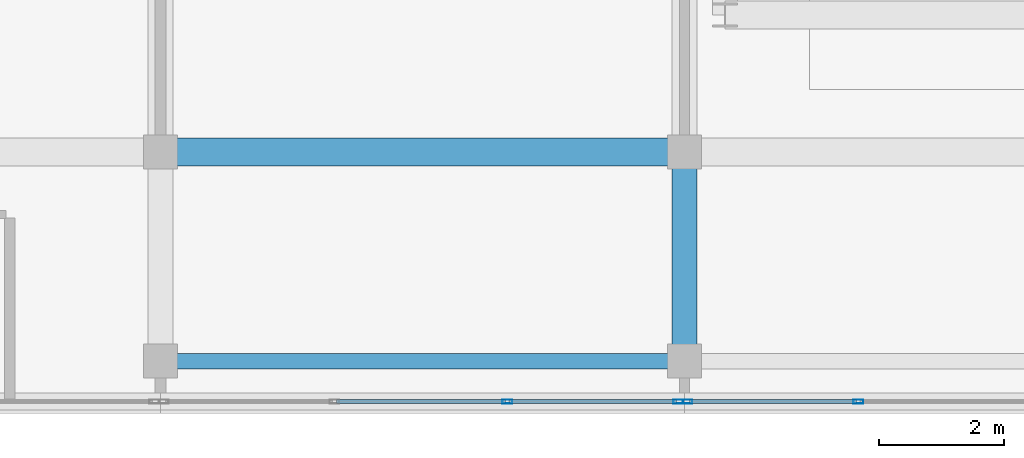
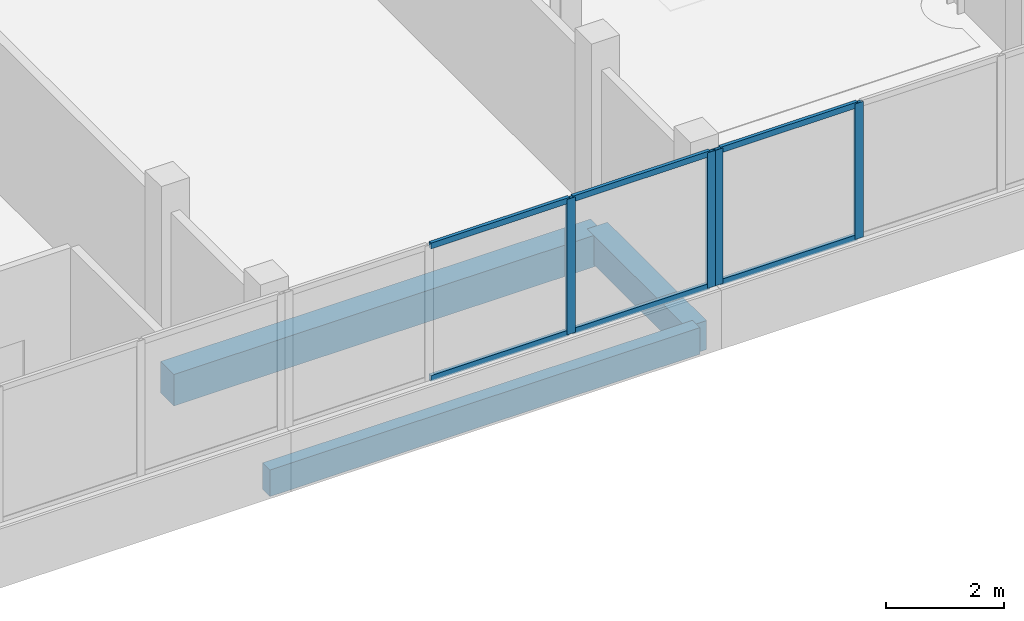
# One storey, part 9 of 67: 10 members, 3 beams, 2 elements without a shape of their own.
"""IFC4 building model written with IfcOpenShell, lengths in metres."""

from ifc_helpers import new_model, si_unit, direction, frame, origin, origin_2d, place, context, subcontext, project, spatial, rectangle, hollow_rectangle, extrude, material, material_profile, profile_set, type_object, element, aggregate, save


model = new_model("IFC4")

# Units and contexts
model_context = context("Model", 3, precision=1e-05, world=origin(), true_north=direction((0.0, 1.0)))
body_context = subcontext(model_context, "Body", "Model", "MODEL_VIEW")
ifc_project = project(units=[si_unit("LENGTHUNIT", "METRE"), si_unit("AREAUNIT", "SQUARE_METRE"), si_unit("VOLUMEUNIT", "CUBIC_METRE"), si_unit("PLANEANGLEUNIT", "RADIAN"), si_unit("MASSUNIT", "GRAM", prefix="KILO")], contexts=[model_context])

# Site, building, storey
site_placement = place(None, origin())
site = spatial("IfcSite", under=ifc_project, at=site_placement, CompositionType="ELEMENT")
building_placement = place(site_placement, origin())
building = spatial("IfcBuilding", under=site, at=building_placement, Name="Selatvlak General Hospital", CompositionType="ELEMENT")
storey_placement = place(building_placement, frame((0.0, 0.0, 35.39990234375)))
storey = spatial("IfcBuildingStorey", under=building, at=storey_placement, Name="L08", CompositionType="ELEMENT", Elevation=35.39990234375)

# Beams
ifc_material_1 = material(Name="Concrete C40/50", Category="concrete")
ifc_material_profile_1 = material_profile(ifc_material_1, rectangle(XDim=0.449951171875, YDim=0.64990234375, at=origin_2d()), Name="RC-BM 450x650")
ifc_profile_set_1 = profile_set([ifc_material_profile_1], Name="Concrete C40/50")
beam_type_1 = type_object("IfcBeamType", Name="BM-G04", PredefinedType="BEAM", material=ifc_profile_set_1)
beam_1_placement = place(storey_placement, frame((39.60009765625, 92.0, -0.58984375), z_axis=(1.0, 0.0, 0.0), x_axis=(0.0, 1.0, 0.0)))
element("IfcBeam", 1, at=beam_1_placement, inside=storey, type_object=beam_type_1, Name="Beam BMR-L08-2570", PredefinedType="BEAM", context=body_context, shape_type="SweptSolid", body=[
    extrude(rectangle(XDim=0.449951171875, YDim=0.64990234375, at=origin_2d()), origin(), (0.0, 0.0, 1.0), 8.39990234375),
])
ifc_material_profile_2 = material_profile(ifc_material_1, rectangle(XDim=0.39990234375, YDim=0.60009765625, at=origin_2d()), Name="RC-BM 400x600")
ifc_profile_set_2 = profile_set([ifc_material_profile_2], Name="Concrete C40/50")
beam_type_2 = type_object("IfcBeamType", Name="BM-G05", PredefinedType="BEAM", material=ifc_profile_set_2)
beam_2_placement = place(storey_placement, frame((48.0, 88.64990234375, -0.56494140625), z_axis=(0.0, 1.0, 0.0), x_axis=(-1.0, 0.0, 0.0)))
element("IfcBeam", 2, at=beam_2_placement, inside=storey, type_object=beam_type_2, Name="Beam BMR-L08-2644", PredefinedType="BEAM", context=body_context, shape_type="SweptSolid", body=[
    extrude(rectangle(XDim=0.39990234375, YDim=0.60009765625, at=origin_2d()), origin(), (0.0, 0.0, 1.0), 3.35009765625),
])
ifc_material_profile_3 = material_profile(ifc_material_1, rectangle(XDim=0.25, YDim=0.550048828125, at=origin_2d()), Name="RC-SP 250x550")
ifc_profile_set_3 = profile_set([ifc_material_profile_3], Name="Concrete C40/50")
beam_type_3 = type_object("IfcBeamType", Name="BM-SP2", PredefinedType="SPANDREL", material=ifc_profile_set_3)
beam_3_placement = place(storey_placement, frame((39.60009765625, 88.64990234375, -0.539794921875), z_axis=(1.0, 0.0, 0.0), x_axis=(0.0, 1.0, 0.0)))
element("IfcBeam", 3, at=beam_3_placement, inside=storey, type_object=beam_type_3, Name="Beam BMR-L08-2553", PredefinedType="SPANDREL", context=body_context, shape_type="SweptSolid", body=[
    extrude(rectangle(XDim=0.25, YDim=0.550048828125, at=origin_2d()), origin(), (0.0, 0.0, 1.0), 8.39990234375),
])

# Curtain wall, members
ifc_material_2 = material(Name="Solar-control Low-E double glazing", Category="glass")
curtain_wall_type_1 = type_object("IfcCurtainWallType", Name="CW-CW-02", PredefinedType="USERDEFINED", material=ifc_material_2)
curtain_wall_1_placement = place(storey_placement, origin())
curtain_wall_1 = element("IfcCurtainWall", 4, at=curtain_wall_1_placement, inside=storey, type_object=curtain_wall_type_1, Name="Glazed facade curtain wall CW-L08-0713", ObjectType="UNITISED CURTAIN WALL", PredefinedType="USERDEFINED")
ifc_material_3 = material(Name="Dark anodised aluminium mullion", Category="aluminium")
ifc_material_profile_4 = material_profile(ifc_material_3, hollow_rectangle(XDim=0.06494140625, YDim=0.159912109375, WallThickness=0.00390625, at=origin_2d()), Name="AL-MUL 65x160x4")
ifc_profile_set_4 = profile_set([ifc_material_profile_4], Name="Dark anodised aluminium mullion")
member_type_1 = type_object("IfcMemberType", Name="CWM-01", PredefinedType="MULLION", material=ifc_profile_set_4)
member_1_placement = place(storey_placement, frame((50.788330078125, 88.0, 0.940185546875), z_axis=(0.0, 0.0, 1.0), x_axis=(0.0, -1.0, 0.0)))
member_1 = element("IfcMember", 5, at=member_1_placement, type_object=member_type_1, Name="CW-02 mullion 3", PredefinedType="MULLION", context=body_context, shape_type="SweptSolid", body=[
    extrude(hollow_rectangle(XDim=0.06494140625, YDim=0.159912109375, WallThickness=0.00390625, at=origin_2d()), origin(), (0.0, 0.0, 1.0), 2.7998046875),
])
member_2_placement = place(storey_placement, frame((48.047607421875, 88.0, 0.940185546875), z_axis=(0.0, 0.0, 1.0), x_axis=(0.0, -1.0, 0.0)))
member_2 = element("IfcMember", 6, at=member_2_placement, type_object=member_type_1, Name="CW-02 mullion 4", PredefinedType="MULLION", context=body_context, shape_type="SweptSolid", body=[
    extrude(hollow_rectangle(XDim=0.06494140625, YDim=0.159912109375, WallThickness=0.00390625, at=origin_2d()), origin(), (0.0, 0.0, 1.0), 2.7998046875),
])

curtain_wall_type_2 = type_object("IfcCurtainWallType", Name="CW-CW-01", PredefinedType="USERDEFINED", material=ifc_material_2)
curtain_wall_2_placement = place(storey_placement, origin())
curtain_wall_2 = element("IfcCurtainWall", 7, at=curtain_wall_2_placement, inside=storey, type_object=curtain_wall_type_2, Name="Glazed facade curtain wall CW-L08-0714", ObjectType="UNITISED CURTAIN WALL", PredefinedType="USERDEFINED")
member_3_placement = place(storey_placement, frame((47.902587890625, 88.0, 0.940185546875), z_axis=(0.0, 0.0, 1.0), x_axis=(0.0, -1.0, 0.0)))
member_3 = element("IfcMember", 8, at=member_3_placement, type_object=member_type_1, Name="CW-01 mullion 1", PredefinedType="MULLION", context=body_context, shape_type="SweptSolid", body=[
    extrude(hollow_rectangle(XDim=0.06494140625, YDim=0.159912109375, WallThickness=0.00390625, at=origin_2d()), origin(), (0.0, 0.0, 1.0), 2.7998046875),
])
member_4_placement = place(storey_placement, frame((45.16162109375, 88.0, 0.940185546875), z_axis=(0.0, 0.0, 1.0), x_axis=(0.0, -1.0, 0.0)))
member_4 = element("IfcMember", 9, at=member_4_placement, type_object=member_type_1, Name="CW-01 mullion 2", PredefinedType="MULLION", context=body_context, shape_type="SweptSolid", body=[
    extrude(hollow_rectangle(XDim=0.06494140625, YDim=0.159912109375, WallThickness=0.00390625, at=origin_2d()), origin(), (0.0, 0.0, 1.0), 2.7998046875),
])

# Member
ifc_material_profile_5 = material_profile(ifc_material_3, hollow_rectangle(XDim=0.06494140625, YDim=0.1201171875, WallThickness=0.00390625, at=origin_2d()), Name="AL-TRN 65x120x4")
ifc_profile_set_5 = profile_set([ifc_material_profile_5], Name="Dark anodised aluminium mullion")
member_type_2 = type_object("IfcMemberType", Name="CWT-01", PredefinedType="USERDEFINED", material=ifc_profile_set_5)
member_5_placement = place(storey_placement, frame((50.755859375, 88.0, 0.97265625), z_axis=(-1.0, 0.0, 0.0), x_axis=(0.0, -1.0, 0.0)))
member_5 = element("IfcMember", 10, at=member_5_placement, type_object=member_type_2, Name="CW-02 transom 3.1", ObjectType="TRANSOM", PredefinedType="USERDEFINED", context=body_context, shape_type="SweptSolid", body=[
    extrude(hollow_rectangle(XDim=0.06494140625, YDim=0.1201171875, WallThickness=0.00390625, at=origin_2d()), origin(), (0.0, 0.0, 1.0), 2.67578125),
])

member_6_placement = place(storey_placement, frame((50.755859375, 88.0, 3.70751953125), z_axis=(-1.0, 0.0, 0.0), x_axis=(0.0, -1.0, 0.0)))
member_6 = element("IfcMember", 11, at=member_6_placement, type_object=member_type_2, Name="CW-02 transom 3.2", ObjectType="TRANSOM", PredefinedType="USERDEFINED", context=body_context, shape_type="SweptSolid", body=[
    extrude(hollow_rectangle(XDim=0.06494140625, YDim=0.1201171875, WallThickness=0.00390625, at=origin_2d()), origin(), (0.0, 0.0, 1.0), 2.67578125),
])

aggregate(curtain_wall_1, [member_1, member_2, member_5, member_6])

member_7_placement = place(storey_placement, frame((47.8701171875, 88.0, 0.97265625), z_axis=(-1.0, 0.0, 0.0), x_axis=(0.0, -1.0, 0.0)))
member_7 = element("IfcMember", 12, at=member_7_placement, type_object=member_type_2, Name="CW-01 transom 1.1", ObjectType="TRANSOM", PredefinedType="USERDEFINED", context=body_context, shape_type="SweptSolid", body=[
    extrude(hollow_rectangle(XDim=0.06494140625, YDim=0.1201171875, WallThickness=0.00390625, at=origin_2d()), origin(), (0.0, 0.0, 1.0), 2.676025390625),
])

member_8_placement = place(storey_placement, frame((47.8701171875, 88.0, 3.70751953125), z_axis=(-1.0, 0.0, 0.0), x_axis=(0.0, -1.0, 0.0)))
member_8 = element("IfcMember", 13, at=member_8_placement, type_object=member_type_2, Name="CW-01 transom 1.2", ObjectType="TRANSOM", PredefinedType="USERDEFINED", context=body_context, shape_type="SweptSolid", body=[
    extrude(hollow_rectangle(XDim=0.06494140625, YDim=0.1201171875, WallThickness=0.00390625, at=origin_2d()), origin(), (0.0, 0.0, 1.0), 2.676025390625),
])

member_9_placement = place(storey_placement, frame((45.129150390625, 88.0, 0.97265625), z_axis=(-1.0, 0.0, 0.0), x_axis=(0.0, -1.0, 0.0)))
member_9 = element("IfcMember", 14, at=member_9_placement, type_object=member_type_2, Name="CW-01 transom 2.1", ObjectType="TRANSOM", PredefinedType="USERDEFINED", context=body_context, shape_type="SweptSolid", body=[
    extrude(hollow_rectangle(XDim=0.06494140625, YDim=0.1201171875, WallThickness=0.00390625, at=origin_2d()), origin(), (0.0, 0.0, 1.0), 2.708251953125),
])

member_10_placement = place(storey_placement, frame((45.129150390625, 88.0, 3.70751953125), z_axis=(-1.0, 0.0, 0.0), x_axis=(0.0, -1.0, 0.0)))
member_10 = element("IfcMember", 15, at=member_10_placement, type_object=member_type_2, Name="CW-01 transom 2.2", ObjectType="TRANSOM", PredefinedType="USERDEFINED", context=body_context, shape_type="SweptSolid", body=[
    extrude(hollow_rectangle(XDim=0.06494140625, YDim=0.1201171875, WallThickness=0.00390625, at=origin_2d()), origin(), (0.0, 0.0, 1.0), 2.708251953125),
])

aggregate(curtain_wall_2, [member_3, member_4, member_7, member_8, member_9, member_10])

save(model, "model.ifc")
